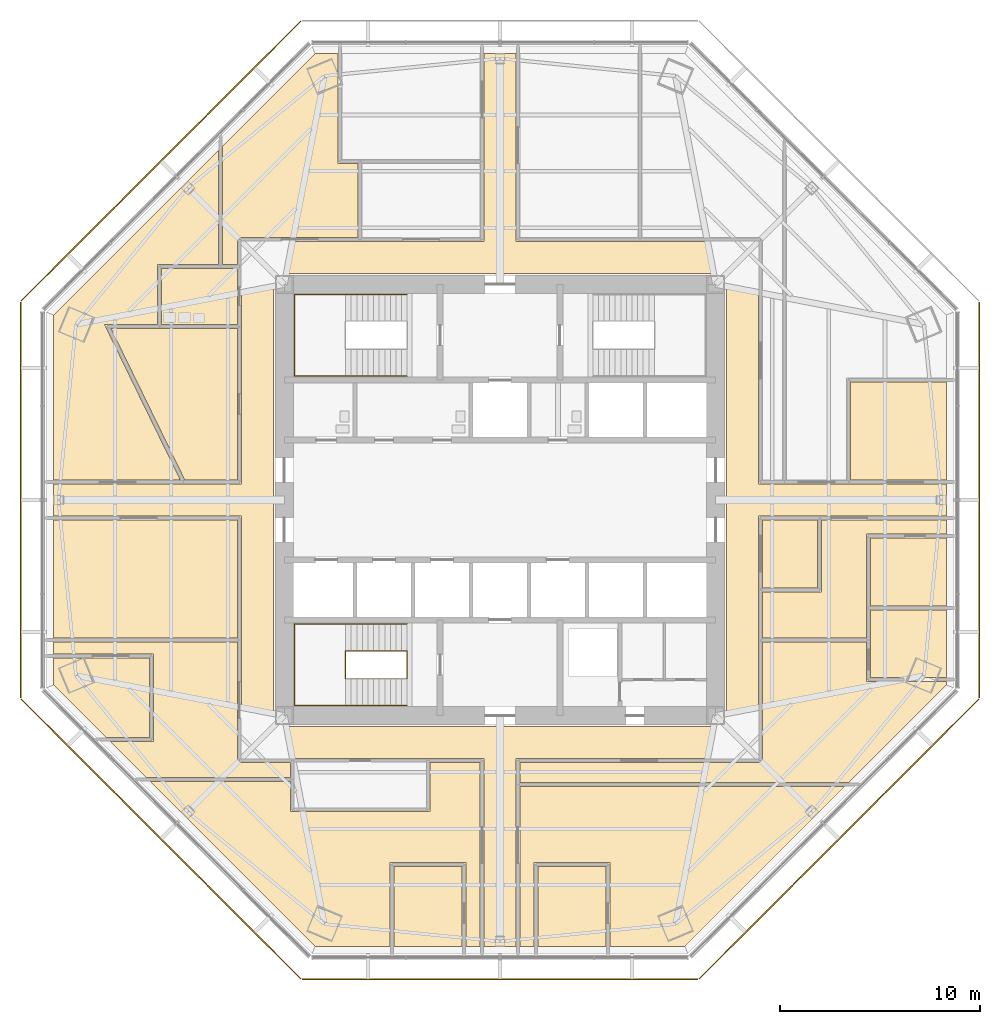
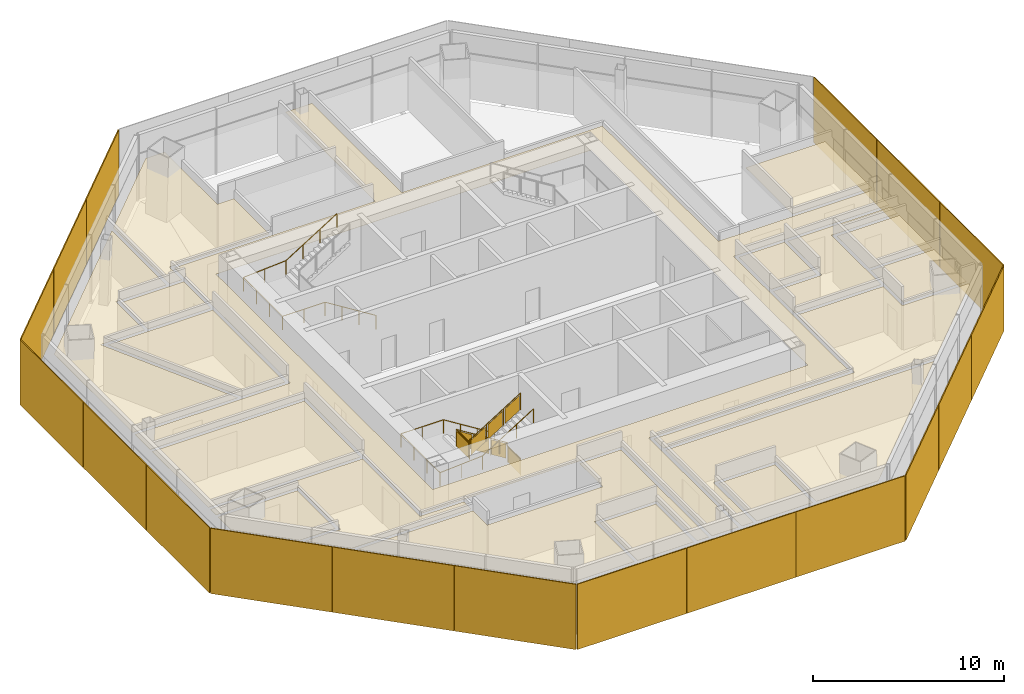
# One storey, part 12 of 14: 18 coverings, 18 shading devices, 3 railings.
"""IFC4 building model written with IfcOpenShell, lengths in metres."""

from ifc_helpers import new_model, si_unit, direction, frame, origin, origin_2d, place, context, subcontext, project, spatial, polyline, rectangle, circle, outline, extrude, source, transform, mapped, material, layer, layer_set, type_object, type_shapes, element, save


model = new_model("IFC4")

# Units and contexts
model_context = context("Model", 3, precision=1e-05, world=origin(), true_north=direction((0.0, 1.0)))
body_context = subcontext(model_context, "Body", "Model", "MODEL_VIEW")
ifc_project = project(units=[si_unit("LENGTHUNIT", "METRE"), si_unit("AREAUNIT", "SQUARE_METRE"), si_unit("VOLUMEUNIT", "CUBIC_METRE"), si_unit("PLANEANGLEUNIT", "RADIAN"), si_unit("MASSUNIT", "GRAM", prefix="KILO")], contexts=[model_context])

# Site, building, storey
site_placement = place(None, origin())
site = spatial("IfcSite", under=ifc_project, at=site_placement, CompositionType="ELEMENT")
building_placement = place(site_placement, origin())
building = spatial("IfcBuilding", under=site, at=building_placement, Name="Mashrafa Tower", CompositionType="ELEMENT")
storey_placement = place(building_placement, frame((0.0, 0.0, 180.60009765625)))
storey = spatial("IfcBuildingStorey", under=building, at=storey_placement, Name="L41", CompositionType="ELEMENT", Elevation=180.60009765625)

# Railings
ifc_material_1 = material(Name="Steel guard with glass infill", Category="steel")
railing_type_1 = type_object("IfcRailingType", Name="Stair guard 1100", PredefinedType="GUARDRAIL", material=ifc_material_1)
railing_1_placement = place(storey_placement, frame((-4.64990234375, -8.949951171875, 0.0)))
element("IfcRailing", 1, at=railing_1_placement, inside=storey, type_object=railing_type_1, Name="Stair S3 guard L41", PredefinedType="GUARDRAIL", context=body_context, shape_type="SweptSolid", body=[
    extrude(circle(Radius=0.02392578125, at=origin_2d()), frame((0.0, 0.0, 1.076171875), z_axis=(0.0, 1.0, 0.0), x_axis=(-1.0, 0.0, 0.0)), (0.0, 0.0, 1.0), 1.39990234375),
    extrude(circle(Radius=0.02392578125, at=origin_2d()), frame((0.0, 1.39990234375, 1.076171875), z_axis=(0.0, 0.0, 1.0), x_axis=(1.0, 0.0, 0.0)), (0.0, 0.0, 1.0), 0.1748046875),
    extrude(circle(Radius=0.02392578125, at=origin_2d()), frame((0.0, 1.39990234375, 1.2509765625), z_axis=(-0.847998304005, 0.0, 0.529998940003), x_axis=(0.0, -1.0, 0.0)), (0.0, 0.0, 1.0), 3.632080078125),
    extrude(circle(Radius=0.02392578125, at=origin_2d()), frame((-3.080078125, 1.39990234375, 3.17578125), z_axis=(0.0, -1.0, 0.0), x_axis=(1.0, 0.0, 0.0)), (0.0, 0.0, 1.0), 1.39990234375),
    extrude(circle(Radius=0.02392578125, at=origin_2d()), frame((-3.080078125, 0.0, 3.17578125), z_axis=(0.0, 0.0, 1.0), x_axis=(1.0, 0.0, 0.0)), (0.0, 0.0, 1.0), 0.175048828125),
    extrude(circle(Radius=0.02392578125, at=origin_2d()), frame((-3.080078125, 0.0, 3.35107421875), z_axis=(0.847998304005, 0.0, 0.529998940003), x_axis=(0.0, 1.0, 0.0)), (0.0, 0.0, 1.0), 3.632080078125),
    extrude(circle(Radius=0.02099609375, at=origin_2d()), origin(), (0.0, 0.0, 1.0), 1.052001953125),
    extrude(circle(Radius=0.02099609375, at=origin_2d()), frame((0.0, 1.39990234375, 0.0)), (0.0, 0.0, 1.0), 1.052001953125),
    extrude(circle(Radius=0.02099609375, at=origin_2d()), frame((0.0, 1.39990234375, 0.1748046875)), (0.0, 0.0, 1.0), 1.052001953125),
    extrude(circle(Radius=0.02099609375, at=origin_2d()), frame((-1.026611328125, 1.39990234375, 0.81640625)), (0.0, 0.0, 1.0), 1.052001953125),
    extrude(circle(Radius=0.02099609375, at=origin_2d()), frame((-2.053466796875, 1.39990234375, 1.458251953125)), (0.0, 0.0, 1.0), 1.052001953125),
    extrude(circle(Radius=0.02099609375, at=origin_2d()), frame((-3.080078125, 1.39990234375, 2.099853515625)), (0.0, 0.0, 1.0), 1.052001953125),
    extrude(circle(Radius=0.02099609375, at=origin_2d()), frame((-3.080078125, 0.0, 2.099853515625)), (0.0, 0.0, 1.0), 1.052001953125),
    extrude(circle(Radius=0.02099609375, at=origin_2d()), frame((-3.080078125, 0.0, 2.27490234375)), (0.0, 0.0, 1.0), 1.052001953125),
    extrude(circle(Radius=0.02099609375, at=origin_2d()), frame((-2.053466796875, 0.0, 2.91650390625)), (0.0, 0.0, 1.0), 1.052001953125),
    extrude(circle(Radius=0.02099609375, at=origin_2d()), frame((-1.026611328125, 0.0, 3.558349609375)), (0.0, 0.0, 1.0), 1.052001953125),
    extrude(circle(Radius=0.02099609375, at=origin_2d()), frame((0.0, 0.0, 4.199951171875)), (0.0, 0.0, 1.0), 1.052001953125),
    extrude(outline(polyline([(0.071044921875, 0.050048828125), (1.328857421875, 0.050048828125), (1.328857421875, 1.001953125), (0.071044921875, 1.001953125), (0.071044921875, 0.050048828125)])), frame((0.006103515625, 0.0, 0.0), z_axis=(1.0, 0.0, 0.0), x_axis=(0.0, 1.0, 0.0)), (0.0, 0.0, 1.0), 0.011962890625),
    extrude(outline(polyline([(0.071044921875, 0.094482421875), (0.955810546875, 0.647216796875), (0.955810546875, 1.599365234375), (0.071044921875, 1.04638671875), (0.071044921875, 0.094482421875)])), frame((0.0, 1.406005859375, 0.1748046875), z_axis=(0.0, 1.0, 0.0), x_axis=(-1.0, 0.0, 0.0)), (0.0, 0.0, 1.0), 0.011962890625),
    extrude(outline(polyline([(1.09765625, 0.736083984375), (1.982421875, 1.2890625), (1.982421875, 2.240966796875), (1.09765625, 1.68798828125), (1.09765625, 0.736083984375)])), frame((0.0, 1.406005859375, 0.1748046875), z_axis=(0.0, 1.0, 0.0), x_axis=(-1.0, 0.0, 0.0)), (0.0, 0.0, 1.0), 0.011962890625),
    extrude(outline(polyline([(2.124267578125, 1.377685546875), (3.009033203125, 1.9306640625), (3.009033203125, 2.882568359375), (2.124267578125, 2.329833984375), (2.124267578125, 1.377685546875)])), frame((0.0, 1.406005859375, 0.1748046875), z_axis=(0.0, 1.0, 0.0), x_axis=(-1.0, 0.0, 0.0)), (0.0, 0.0, 1.0), 0.011962890625),
    extrude(outline(polyline([(0.071044921875, 0.050048828125), (1.328857421875, 0.050048828125), (1.328857421875, 1.001953125), (0.071044921875, 1.001953125), (0.071044921875, 0.050048828125)])), frame((-3.086181640625, 1.39990234375, 2.099853515625), z_axis=(-1.0, 0.0, 0.0), x_axis=(0.0, -1.0, 0.0)), (0.0, 0.0, 1.0), 0.011962890625),
    extrude(outline(polyline([(0.071044921875, 0.094482421875), (0.955810546875, 0.647216796875), (0.955810546875, 1.599365234375), (0.071044921875, 1.04638671875), (0.071044921875, 0.094482421875)])), frame((-3.080078125, -0.006103515625, 2.27490234375), z_axis=(0.0, -1.0, 0.0), x_axis=(1.0, 0.0, 0.0)), (0.0, 0.0, 1.0), 0.011962890625),
    extrude(outline(polyline([(1.09765625, 0.736083984375), (1.982421875, 1.2890625), (1.982421875, 2.240966796875), (1.09765625, 1.68798828125), (1.09765625, 0.736083984375)])), frame((-3.080078125, -0.006103515625, 2.27490234375), z_axis=(0.0, -1.0, 0.0), x_axis=(1.0, 0.0, 0.0)), (0.0, 0.0, 1.0), 0.011962890625),
    extrude(outline(polyline([(2.124267578125, 1.377685546875), (3.009033203125, 1.9306640625), (3.009033203125, 2.882568359375), (2.124267578125, 2.329833984375), (2.124267578125, 1.377685546875)])), frame((-3.080078125, -0.006103515625, 2.27490234375), z_axis=(0.0, -1.0, 0.0), x_axis=(1.0, 0.0, 0.0)), (0.0, 0.0, 1.0), 0.011962890625),
])
ifc_material_2 = material(Name="Steel", Category="steel")
railing_type_2 = type_object("IfcRailingType", Name="Stair handrail 900", PredefinedType="HANDRAIL", material=ifc_material_2)
railing_2_placement = place(storey_placement, frame((-4.64990234375, 6.199951171875, 0.1748046875)))
element("IfcRailing", 2, at=railing_2_placement, inside=storey, type_object=railing_type_2, Name="Stair S1 handrail L41", PredefinedType="HANDRAIL", context=body_context, shape_type="SweptSolid", body=[
    extrude(circle(Radius=0.02392578125, at=origin_2d()), frame((0.0, 0.0, 0.8759765625), z_axis=(-0.847998304005, 0.0, 0.529998940003), x_axis=(0.0, -1.0, 0.0)), (0.0, 0.0, 1.0), 3.632080078125),
    extrude(circle(Radius=0.02392578125, at=origin_2d()), frame((-3.080078125, 0.0, 2.80078125), z_axis=(-1.0, 0.0, 0.0), x_axis=(0.0, -1.0, 0.0)), (0.0, 0.0, 1.0), 2.570068359375),
    extrude(circle(Radius=0.02392578125, at=origin_2d()), frame((-5.650146484375, 0.0, 2.80078125), z_axis=(0.0, 1.0, 0.0), x_axis=(-1.0, 0.0, 0.0)), (0.0, 0.0, 1.0), 4.10009765625),
    extrude(circle(Radius=0.02392578125, at=origin_2d()), frame((-5.650146484375, 4.10009765625, 2.80078125), z_axis=(0.997688514158, 0.0, 0.067953136188), x_axis=(0.0, 1.0, 0.0)), (0.0, 0.0, 1.0), 2.575927734375),
    extrude(circle(Radius=0.02392578125, at=origin_2d()), frame((-3.080078125, 4.10009765625, 2.97607421875), z_axis=(0.847998304005, 0.0, 0.529998940003), x_axis=(0.0, 1.0, 0.0)), (0.0, 0.0, 1.0), 3.632080078125),
    extrude(circle(Radius=0.02099609375, at=origin_2d()), origin(), (0.0, 0.0, 1.0), 0.851806640625),
    extrude(circle(Radius=0.02099609375, at=origin_2d()), frame((-1.026611328125, 0.0, 0.6416015625)), (0.0, 0.0, 1.0), 0.851806640625),
    extrude(circle(Radius=0.02099609375, at=origin_2d()), frame((-2.053466796875, 0.0, 1.283447265625)), (0.0, 0.0, 1.0), 0.851806640625),
    extrude(circle(Radius=0.02099609375, at=origin_2d()), frame((-3.080078125, 0.0, 1.925048828125)), (0.0, 0.0, 1.0), 0.851806640625),
    extrude(circle(Radius=0.02099609375, at=origin_2d()), frame((-4.365234375, 0.0, 1.925048828125)), (0.0, 0.0, 1.0), 0.851806640625),
    extrude(circle(Radius=0.02099609375, at=origin_2d()), frame((-5.650146484375, 0.0, 1.925048828125)), (0.0, 0.0, 1.0), 0.851806640625),
    extrude(circle(Radius=0.02099609375, at=origin_2d()), frame((-5.650146484375, 1.36669921875, 1.925048828125)), (0.0, 0.0, 1.0), 0.851806640625),
    extrude(circle(Radius=0.02099609375, at=origin_2d()), frame((-5.650146484375, 2.7333984375, 1.925048828125)), (0.0, 0.0, 1.0), 0.851806640625),
    extrude(circle(Radius=0.02099609375, at=origin_2d()), frame((-5.650146484375, 4.10009765625, 1.925048828125)), (0.0, 0.0, 1.0), 0.851806640625),
    extrude(circle(Radius=0.02099609375, at=origin_2d()), frame((-4.365234375, 4.10009765625, 2.0126953125)), (0.0, 0.0, 1.0), 0.851806640625),
    extrude(circle(Radius=0.02099609375, at=origin_2d()), frame((-3.080078125, 4.10009765625, 2.10009765625)), (0.0, 0.0, 1.0), 0.851806640625),
    extrude(circle(Radius=0.02099609375, at=origin_2d()), frame((-2.053466796875, 4.10009765625, 2.74169921875)), (0.0, 0.0, 1.0), 0.851806640625),
    extrude(circle(Radius=0.02099609375, at=origin_2d()), frame((-1.026611328125, 4.10009765625, 3.383544921875)), (0.0, 0.0, 1.0), 0.851806640625),
    extrude(circle(Radius=0.02099609375, at=origin_2d()), frame((0.0, 4.10009765625, 4.025146484375)), (0.0, 0.0, 1.0), 0.851806640625),
])
railing_3_placement = place(storey_placement, frame((-4.64990234375, -6.199951171875, 0.1748046875)))
element("IfcRailing", 3, at=railing_3_placement, inside=storey, type_object=railing_type_2, Name="Stair S3 handrail L41", PredefinedType="HANDRAIL", context=body_context, shape_type="SweptSolid", body=[
    extrude(circle(Radius=0.02392578125, at=origin_2d()), frame((0.0, 0.0, 0.8759765625), z_axis=(-0.847998304005, 0.0, 0.529998940003), x_axis=(0.0, -1.0, 0.0)), (0.0, 0.0, 1.0), 3.632080078125),
    extrude(circle(Radius=0.02392578125, at=origin_2d()), frame((-3.080078125, 0.0, 2.80078125), z_axis=(-1.0, 0.0, 0.0), x_axis=(0.0, -1.0, 0.0)), (0.0, 0.0, 1.0), 2.570068359375),
    extrude(circle(Radius=0.02392578125, at=origin_2d()), frame((-5.650146484375, 0.0, 2.80078125), z_axis=(0.0, -1.0, 0.0), x_axis=(1.0, 0.0, 0.0)), (0.0, 0.0, 1.0), 4.10009765625),
    extrude(circle(Radius=0.02392578125, at=origin_2d()), frame((-5.650146484375, -4.10009765625, 2.80078125), z_axis=(0.997688514158, 0.0, 0.067953136188), x_axis=(0.0, 1.0, 0.0)), (0.0, 0.0, 1.0), 2.575927734375),
    extrude(circle(Radius=0.02392578125, at=origin_2d()), frame((-3.080078125, -4.10009765625, 2.97607421875), z_axis=(0.847998304005, 0.0, 0.529998940003), x_axis=(0.0, 1.0, 0.0)), (0.0, 0.0, 1.0), 3.632080078125),
    extrude(circle(Radius=0.02099609375, at=origin_2d()), origin(), (0.0, 0.0, 1.0), 0.851806640625),
    extrude(circle(Radius=0.02099609375, at=origin_2d()), frame((-1.026611328125, 0.0, 0.6416015625)), (0.0, 0.0, 1.0), 0.851806640625),
    extrude(circle(Radius=0.02099609375, at=origin_2d()), frame((-2.053466796875, 0.0, 1.283447265625)), (0.0, 0.0, 1.0), 0.851806640625),
    extrude(circle(Radius=0.02099609375, at=origin_2d()), frame((-3.080078125, 0.0, 1.925048828125)), (0.0, 0.0, 1.0), 0.851806640625),
    extrude(circle(Radius=0.02099609375, at=origin_2d()), frame((-4.365234375, 0.0, 1.925048828125)), (0.0, 0.0, 1.0), 0.851806640625),
    extrude(circle(Radius=0.02099609375, at=origin_2d()), frame((-5.650146484375, 0.0, 1.925048828125)), (0.0, 0.0, 1.0), 0.851806640625),
    extrude(circle(Radius=0.02099609375, at=origin_2d()), frame((-5.650146484375, -1.36669921875, 1.925048828125)), (0.0, 0.0, 1.0), 0.851806640625),
    extrude(circle(Radius=0.02099609375, at=origin_2d()), frame((-5.650146484375, -2.7333984375, 1.925048828125)), (0.0, 0.0, 1.0), 0.851806640625),
    extrude(circle(Radius=0.02099609375, at=origin_2d()), frame((-5.650146484375, -4.10009765625, 1.925048828125)), (0.0, 0.0, 1.0), 0.851806640625),
    extrude(circle(Radius=0.02099609375, at=origin_2d()), frame((-4.365234375, -4.10009765625, 2.0126953125)), (0.0, 0.0, 1.0), 0.851806640625),
    extrude(circle(Radius=0.02099609375, at=origin_2d()), frame((-3.080078125, -4.10009765625, 2.10009765625)), (0.0, 0.0, 1.0), 0.851806640625),
    extrude(circle(Radius=0.02099609375, at=origin_2d()), frame((-2.053466796875, -4.10009765625, 2.74169921875)), (0.0, 0.0, 1.0), 0.851806640625),
    extrude(circle(Radius=0.02099609375, at=origin_2d()), frame((-1.026611328125, -4.10009765625, 3.383544921875)), (0.0, 0.0, 1.0), 0.851806640625),
    extrude(circle(Radius=0.02099609375, at=origin_2d()), frame((0.0, -4.10009765625, 4.025146484375)), (0.0, 0.0, 1.0), 0.851806640625),
])

# Coverings
ifc_material_3 = material(Name="Mineral fibre tile on suspension grid")
ifc_layer_1 = layer(ifc_material_3, 0.014892578125)
ifc_layer_set_1 = layer_set([ifc_layer_1], Name="Suspended ceiling mineral tile 15")
covering_type = type_object("IfcCoveringType", Name="Suspended ceiling mineral tile 15", PredefinedType="CEILING", material=ifc_layer_set_1)
covering_1_placement = place(storey_placement, frame((0.0, 0.0, 2.89990234375)))
element("IfcCovering", 4, at=covering_1_placement, inside=storey, type_object=covering_type, Name="Ceiling Office Corridor L41", PredefinedType="CEILING", context=body_context, shape_type="SweptSolid", body=[
    extrude(outline(polyline([(-12.949951171875, -12.949951171875), (-12.949951171875, -0.800048828125), (-22.355712890625, -0.800048828125), (-22.355712890625, 0.800048828125), (-12.949951171875, 0.800048828125), (-12.949951171875, 12.949951171875), (-0.800048828125, 12.949951171875), (-0.800048828125, 22.355712890625), (0.800048828125, 22.355712890625), (0.800048828125, 12.949951171875), (12.949951171875, 12.949951171875), (12.949951171875, 0.800048828125), (22.355712890625, 0.800048828125), (22.355712890625, -0.800048828125), (12.949951171875, -0.800048828125), (12.949951171875, -12.949951171875), (0.800048828125, -12.949951171875), (0.800048828125, -22.355712890625), (-0.800048828125, -22.355712890625), (-0.800048828125, -12.949951171875), (-12.949951171875, -12.949951171875)]), holes=[polyline([(11.35009765625, 11.35009765625), (-11.35009765625, 11.35009765625), (-11.35009765625, -11.35009765625), (11.35009765625, -11.35009765625), (11.35009765625, 11.35009765625)])]), origin(), (0.0, 0.0, 1.0), 0.014892578125),
])
covering_2_placement = place(storey_placement, frame((0.0, 0.0, 2.89990234375)))
element("IfcCovering", 5, at=covering_2_placement, inside=storey, type_object=covering_type, Name="Ceiling Musallah Prayer Room 41", PredefinedType="CEILING", context=body_context, shape_type="SweptSolid", body=[
    extrude(outline(polyline([(-15.783203125, 1.0), (-19.489990234375, 8.60009765625), (-13.14990234375, 8.60009765625), (-13.14990234375, 1.0), (-15.783203125, 1.0)])), origin(), (0.0, 0.0, 1.0), 0.014892578125),
])
covering_3_placement = place(storey_placement, frame((0.0, 0.0, 2.89990234375)))
element("IfcCovering", 6, at=covering_3_placement, inside=storey, type_object=covering_type, Name="Ceiling Ablution Room L41", PredefinedType="CEILING", context=body_context, shape_type="SweptSolid", body=[
    extrude(outline(polyline([(-16.949951171875, 8.800048828125), (-16.949951171875, 11.60009765625), (-13.14990234375, 11.60009765625), (-13.14990234375, 8.800048828125), (-16.949951171875, 8.800048828125)])), origin(), (0.0, 0.0, 1.0), 0.014892578125),
])
covering_4_placement = place(storey_placement, frame((0.0, 0.0, 2.89990234375)))
element("IfcCovering", 7, at=covering_4_placement, inside=storey, type_object=covering_type, Name="Ceiling Guest Majlis 41", PredefinedType="CEILING", context=body_context, shape_type="SweptSolid", body=[
    extrude(outline(polyline([(17.555908203125, 5.89990234375), (22.355712890625, 5.89990234375), (22.355712890625, 1.0), (17.555908203125, 1.0), (17.555908203125, 5.89990234375)])), origin(), (0.0, 0.0, 1.0), 0.014892578125),
])
covering_5_placement = place(storey_placement, frame((0.0, 0.0, 2.89990234375)))
element("IfcCovering", 8, at=covering_5_placement, inside=storey, type_object=covering_type, Name="Ceiling Executive Dining Room 41-SW2", PredefinedType="CEILING", context=body_context, shape_type="SweptSolid", body=[
    extrude(outline(polyline([(-17.555908203125, -7.89990234375), (-17.555908203125, -11.89990234375), (-19.7158203125, -11.89990234375), (-22.355712890625, -9.260009765625), (-22.355712890625, -7.89990234375), (-17.555908203125, -7.89990234375)])), origin(), (0.0, 0.0, 1.0), 0.014892578125),
])
covering_6_placement = place(storey_placement, frame((0.0, 0.0, 2.89990234375)))
element("IfcCovering", 9, at=covering_6_placement, inside=storey, type_object=covering_type, Name="Ceiling Executive Reception 41", PredefinedType="CEILING", context=body_context, shape_type="SweptSolid", body=[
    extrude(outline(polyline([(13.14990234375, -1.0), (15.89990234375, -1.0), (15.89990234375, -4.39990234375), (13.14990234375, -4.39990234375), (13.14990234375, -1.0)])), origin(), (0.0, 0.0, 1.0), 0.014892578125),
])
covering_7_placement = place(storey_placement, frame((0.0, 0.0, 2.89990234375)))
element("IfcCovering", 10, at=covering_7_placement, inside=storey, type_object=covering_type, Name="Ceiling Executive Office 41-SE2", PredefinedType="CEILING", context=body_context, shape_type="SweptSolid", body=[
    extrude(outline(polyline([(18.555908203125, -5.5), (22.355712890625, -5.5), (22.355712890625, -8.89990234375), (18.555908203125, -8.89990234375), (18.555908203125, -5.5)])), origin(), (0.0, 0.0, 1.0), 0.014892578125),
])
covering_8_placement = place(storey_placement, frame((0.0, 0.0, 2.89990234375)))
element("IfcCovering", 11, at=covering_8_placement, inside=storey, type_object=covering_type, Name="Ceiling Executive Office 41-SE1", PredefinedType="CEILING", context=body_context, shape_type="SweptSolid", body=[
    extrude(outline(polyline([(18.555908203125, -1.89990234375), (22.355712890625, -1.89990234375), (22.355712890625, -5.300048828125), (18.555908203125, -5.300048828125), (18.555908203125, -1.89990234375)])), origin(), (0.0, 0.0, 1.0), 0.014892578125),
])
covering_9_placement = place(storey_placement, frame((0.0, 0.0, 2.89990234375)))
element("IfcCovering", 12, at=covering_9_placement, inside=storey, type_object=covering_type, Name="Ceiling Executive Office 41-SW3", PredefinedType="CEILING", context=body_context, shape_type="SweptSolid", body=[
    extrude(outline(polyline([(-5.300048828125, -18.355712890625), (-1.89990234375, -18.355712890625), (-1.89990234375, -22.355712890625), (-5.300048828125, -22.355712890625), (-5.300048828125, -18.355712890625)])), origin(), (0.0, 0.0, 1.0), 0.014892578125),
])
covering_10_placement = place(storey_placement, frame((0.0, 0.0, 2.89990234375)))
element("IfcCovering", 13, at=covering_10_placement, inside=storey, type_object=covering_type, Name="Ceiling Executive Office 41-SE3", PredefinedType="CEILING", context=body_context, shape_type="SweptSolid", body=[
    extrude(outline(polyline([(1.89990234375, -18.355712890625), (5.300048828125, -18.355712890625), (5.300048828125, -22.355712890625), (1.89990234375, -22.355712890625), (1.89990234375, -18.355712890625)])), origin(), (0.0, 0.0, 1.0), 0.014892578125),
])
covering_11_placement = place(storey_placement, frame((0.0, 0.0, 2.89990234375)))
element("IfcCovering", 14, at=covering_11_placement, inside=storey, type_object=covering_type, Name="Ceiling Board Secretariat Office 41-NW3", PredefinedType="CEILING", context=body_context, shape_type="SweptSolid", body=[
    extrude(outline(polyline([(-22.355712890625, 1.0), (-22.355712890625, 9.260009765625), (-14.10009765625, 17.515869140625), (-14.10009765625, 11.800048828125), (-17.14990234375, 11.800048828125), (-17.14990234375, 8.800048828125), (-19.81005859375, 8.800048828125), (-16.005615234375, 1.0), (-22.355712890625, 1.0)])), origin(), (0.0, 0.0, 1.0), 0.014892578125),
])
covering_12_placement = place(storey_placement, frame((0.0, 0.0, 2.89990234375)))
element("IfcCovering", 15, at=covering_12_placement, inside=storey, type_object=covering_type, Name="Ceiling Corporate Affairs Office 41-NW2", PredefinedType="CEILING", context=body_context, shape_type="SweptSolid", body=[
    extrude(outline(polyline([(-13.89990234375, 11.800048828125), (-13.89990234375, 17.7158203125), (-9.260009765625, 22.355712890625), (-8.10009765625, 22.355712890625), (-8.10009765625, 16.855712890625), (-7.10009765625, 16.855712890625), (-7.10009765625, 13.14990234375), (-13.14990234375, 13.14990234375), (-13.14990234375, 11.800048828125), (-13.89990234375, 11.800048828125)])), origin(), (0.0, 0.0, 1.0), 0.014892578125),
])
covering_13_placement = place(storey_placement, frame((0.0, 0.0, 2.89990234375)))
element("IfcCovering", 16, at=covering_13_placement, inside=storey, type_object=covering_type, Name="Ceiling Board Secretariat Office 41-SW3", PredefinedType="CEILING", context=body_context, shape_type="SweptSolid", body=[
    extrude(outline(polyline([(-1.0, -22.355712890625), (-1.699951171875, -22.355712890625), (-1.699951171875, -18.15576171875), (-5.5, -18.15576171875), (-5.5, -22.355712890625), (-9.260009765625, -22.355712890625), (-17.515869140625, -14.10009765625), (-10.5, -14.10009765625), (-10.5, -15.60009765625), (-3.5, -15.60009765625), (-3.5, -13.14990234375), (-1.0, -13.14990234375), (-1.0, -22.355712890625)])), origin(), (0.0, 0.0, 1.0), 0.014892578125),
])
covering_14_placement = place(storey_placement, frame((0.0, 0.0, 2.89990234375)))
element("IfcCovering", 17, at=covering_14_placement, inside=storey, type_object=covering_type, Name="Ceiling Corporate Affairs Office 41-SW2", PredefinedType="CEILING", context=body_context, shape_type="SweptSolid", body=[
    extrude(outline(polyline([(-10.5, -13.89990234375), (-17.7158203125, -13.89990234375), (-19.515869140625, -12.10009765625), (-17.355712890625, -12.10009765625), (-17.355712890625, -7.699951171875), (-22.355712890625, -7.699951171875), (-22.355712890625, -7.10009765625), (-13.14990234375, -7.10009765625), (-13.14990234375, -13.14990234375), (-10.5, -13.14990234375), (-10.5, -13.89990234375)])), origin(), (0.0, 0.0, 1.0), 0.014892578125),
])
covering_15_placement = place(storey_placement, frame((0.0, 0.0, 2.89990234375)))
element("IfcCovering", 18, at=covering_15_placement, inside=storey, type_object=covering_type, Name="Ceiling General Counsel's Office 41-SW1", PredefinedType="CEILING", context=body_context, shape_type="SweptSolid", body=[
    extrude(outline(polyline([(-22.355712890625, -6.89990234375), (-22.355712890625, -1.0), (-13.14990234375, -1.0), (-13.14990234375, -6.89990234375), (-22.355712890625, -6.89990234375)])), origin(), (0.0, 0.0, 1.0), 0.014892578125),
])
covering_16_placement = place(storey_placement, frame((0.0, 0.0, 2.89990234375)))
element("IfcCovering", 19, at=covering_16_placement, inside=storey, type_object=covering_type, Name="Ceiling Board Secretariat Office 41-SE3", PredefinedType="CEILING", context=body_context, shape_type="SweptSolid", body=[
    extrude(outline(polyline([(1.0, -14.35009765625), (17.265869140625, -14.35009765625), (9.260009765625, -22.355712890625), (5.5, -22.355712890625), (5.5, -18.15576171875), (1.699951171875, -18.15576171875), (1.699951171875, -22.355712890625), (1.0, -22.355712890625), (1.0, -14.35009765625)])), origin(), (0.0, 0.0, 1.0), 0.014892578125),
])
covering_17_placement = place(storey_placement, frame((0.0, 0.0, 2.89990234375)))
element("IfcCovering", 20, at=covering_17_placement, inside=storey, type_object=covering_type, Name="Ceiling Corporate Affairs Office 41-SE2", PredefinedType="CEILING", context=body_context, shape_type="SweptSolid", body=[
    extrude(outline(polyline([(13.14990234375, -7.10009765625), (18.355712890625, -7.10009765625), (18.355712890625, -9.10009765625), (22.355712890625, -9.10009765625), (22.355712890625, -9.260009765625), (17.4658203125, -14.14990234375), (1.0, -14.14990234375), (1.0, -13.14990234375), (13.14990234375, -13.14990234375), (13.14990234375, -7.10009765625)])), origin(), (0.0, 0.0, 1.0), 0.014892578125),
])
covering_18_placement = place(storey_placement, frame((0.0, 0.0, 2.89990234375)))
element("IfcCovering", 21, at=covering_18_placement, inside=storey, type_object=covering_type, Name="Ceiling General Counsel's Office 41-SE1", PredefinedType="CEILING", context=body_context, shape_type="SweptSolid", body=[
    extrude(outline(polyline([(22.355712890625, -1.0), (22.355712890625, -1.699951171875), (18.355712890625, -1.699951171875), (18.355712890625, -6.89990234375), (13.14990234375, -6.89990234375), (13.14990234375, -4.60009765625), (16.10009765625, -4.60009765625), (16.10009765625, -1.0), (22.355712890625, -1.0)])), origin(), (0.0, 0.0, 1.0), 0.014892578125),
])

# Shading devices
ifc_material_4 = material(Name="Perforated aluminium plate, eight-point star pattern", Category="aluminium")
ifc_layer_2 = layer(ifc_material_4, 0.06005859375)
ifc_layer_set_2 = layer_set([ifc_layer_2], Name="Mashrabiya screen panel office zone 2, 40 percent open")
shading_device_type = type_object("IfcShadingDeviceType", Name="Mashrabiya screen panel office zone 2, 40 percent open", PredefinedType="SHUTTER", material=ifc_layer_set_2)
shared_shape = source(origin(), body_context, "Body", "SweptSolid", [
    extrude(rectangle(XDim=6.593994140625, YDim=0.06005859375, at=origin_2d()), origin(), (0.0, 0.0, 1.0), 4.179931640625),
])
type_shapes(shading_device_type, [shared_shape])
for number, where, z_axis, x_axis, name in (
    (22, (24.005859375, -6.614013671875, -0.14990234375), (0.0, 0.0, 1.0), (0.0, 1.0, 0.0), "Mashrabiya screen L41 east 1"),
    (23, (24.005859375, 0.0, -0.14990234375), (0.0, 0.0, 1.0), (0.0, 1.0, 0.0), "Mashrabiya screen L41 east 2"),
    (24, (24.005859375, 6.614013671875, -0.14990234375), (0.0, 0.0, 1.0), (0.0, 1.0, 0.0), "Mashrabiya screen L41 east 3"),
    (25, (-12.2978515625, 21.651611328125, -0.14990234375), (0.0, 0.0, 1.0), (-0.707106781187, -0.707106781187, 0.0), "Mashrabiya screen L41 north-west 1"),
    (26, (-16.974609375, 16.974609375, -0.14990234375), (0.0, 0.0, 1.0), (-0.707106781187, -0.707106781187, 0.0), "Mashrabiya screen L41 north-west 2"),
    (27, (-21.651611328125, 12.2978515625, -0.14990234375), (0.0, 0.0, 1.0), (-0.707106781187, -0.707106781187, 0.0), "Mashrabiya screen L41 north-west 3"),
    (28, (-24.005859375, 6.614013671875, -0.14990234375), (0.0, 0.0, 1.0), (0.0, -1.0, 0.0), "Mashrabiya screen L41 west 1"),
    (29, (-24.005859375, 0.0, -0.14990234375), (0.0, 0.0, 1.0), (0.0, -1.0, 0.0), "Mashrabiya screen L41 west 2"),
    (30, (-24.005859375, -6.614013671875, -0.14990234375), (0.0, 0.0, 1.0), (0.0, -1.0, 0.0), "Mashrabiya screen L41 west 3"),
    (31, (-21.651611328125, -12.2978515625, -0.14990234375), (0.0, 0.0, 1.0), (0.707106781187, -0.707106781187, 0.0), "Mashrabiya screen L41 south-west 1"),
    (32, (-16.974609375, -16.974609375, -0.14990234375), (0.0, 0.0, 1.0), (0.707106781187, -0.707106781187, 0.0), "Mashrabiya screen L41 south-west 2"),
    (33, (-12.2978515625, -21.651611328125, -0.14990234375), (0.0, 0.0, 1.0), (0.707106781187, -0.707106781187, 0.0), "Mashrabiya screen L41 south-west 3"),
    (34, (-6.614013671875, -24.005859375, -0.14990234375), (0.0, 0.0, 1.0), (1.0, 0.0, 0.0), "Mashrabiya screen L41 south 1"),
    (35, (0.0, -24.005859375, -0.14990234375), (0.0, 0.0, 1.0), (1.0, 0.0, 0.0), "Mashrabiya screen L41 south 2"),
    (36, (6.614013671875, -24.005859375, -0.14990234375), (0.0, 0.0, 1.0), (1.0, 0.0, 0.0), "Mashrabiya screen L41 south 3"),
    (37, (12.2978515625, -21.651611328125, -0.14990234375), (0.0, 0.0, 1.0), (0.707106781187, 0.707106781187, 0.0), "Mashrabiya screen L41 south-east 1"),
    (38, (16.974609375, -16.974609375, -0.14990234375), (0.0, 0.0, 1.0), (0.707106781187, 0.707106781187, 0.0), "Mashrabiya screen L41 south-east 2"),
    (39, (21.651611328125, -12.2978515625, -0.14990234375), (0.0, 0.0, 1.0), (0.707106781187, 0.707106781187, 0.0), "Mashrabiya screen L41 south-east 3"),
):
    element("IfcShadingDevice", number, at=place(storey_placement, frame(where, z_axis=z_axis, x_axis=x_axis)), inside=storey, type_object=shading_device_type, Name=name, PredefinedType="SHUTTER", context=body_context, shape_type="MappedRepresentation", body=[
        mapped(shared_shape, transform((0.0, 0.0, 0.0))),
    ])

save(model, "model.ifc")
